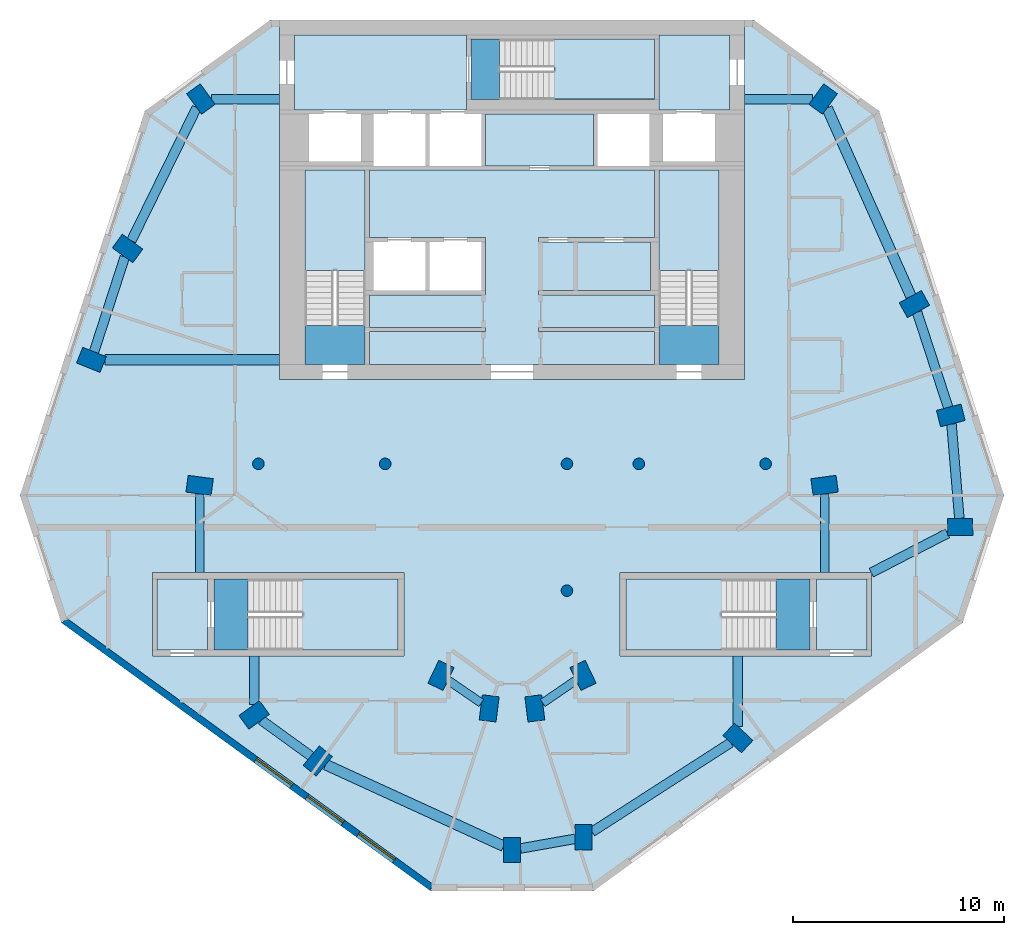
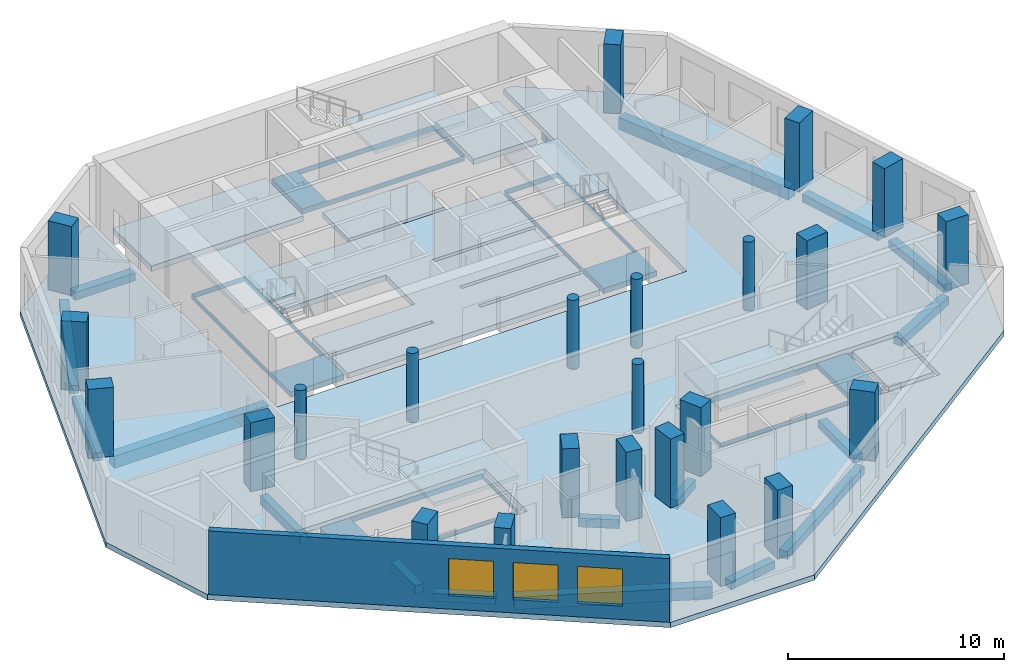
# One storey, part 1 of 8: 24 columns, 19 beams, 17 slabs, 3 windows, 1 wall, 3 openings, 5 elements without a shape of their own.
"""IFC4 building model written with IfcOpenShell, lengths in metres."""

from ifc_helpers import new_model, si_unit, direction, frame, frame_2d, origin, origin_2d, place, context, subcontext, project, spatial, polyline, rectangle, circle, outline, extrude, material, layer, layer_set, material_profile, profile_set, type_object, element, fill, aggregate, save


model = new_model("IFC4")

# Units and contexts
model_context = context("Model", 3, precision=1e-05, world=origin(), true_north=direction((0.0, 1.0)))
body_context = subcontext(model_context, "Body", "Model", "MODEL_VIEW")
ifc_project = project(units=[si_unit("LENGTHUNIT", "METRE"), si_unit("AREAUNIT", "SQUARE_METRE"), si_unit("VOLUMEUNIT", "CUBIC_METRE"), si_unit("PLANEANGLEUNIT", "RADIAN"), si_unit("MASSUNIT", "GRAM", prefix="KILO")], contexts=[model_context])

# Site, building, storey
site_placement = place(None, origin())
site = spatial("IfcSite", under=ifc_project, at=site_placement, CompositionType="ELEMENT")
building_placement = place(site_placement, origin())
building = spatial("IfcBuilding", under=site, at=building_placement, Name="White Candle Pilgrim Tower", CompositionType="ELEMENT")
storey_placement = place(building_placement, frame((0.0, 0.0, 275.60009765625)))
storey = spatial("IfcBuildingStorey", under=building, at=storey_placement, Name="L65", CompositionType="ELEMENT", Elevation=275.60009765625)

# Columns
ifc_material_1 = material(Name="Concrete C60/75", Category="concrete")
ifc_material_profile_1 = material_profile(ifc_material_1, circle(Radius=0.27490234375, at=origin_2d()), Name="RC-COL D550")
ifc_profile_set_1 = profile_set([ifc_material_profile_1], Name="Concrete C60/75")
column_type_1 = type_object("IfcColumnType", Name="Interior column RC-COL D550 C60/75", PredefinedType="COLUMN", material=ifc_profile_set_1)
for number, where, z_axis, x_axis, name in (
    (1, (58.0, 67.0, 0.0), (0.0, 0.0, 1.0), (1.0, 0.0, 0.0), "L65 column I01"),
    (2, (64.0, 67.0, 0.0), (0.0, 0.0, 1.0), (1.0, 0.0, 0.0), "L65 column I02"),
    (3, (72.60009765625, 61.0, 0.0), (0.0, 0.0, 1.0), (1.0, 0.0, 0.0), "L65 column I03"),
    (4, (72.60009765625, 67.0, 0.0), (0.0, 0.0, 1.0), (1.0, 0.0, 0.0), "L65 column I04"),
    (5, (76.0, 67.0, 0.0), (0.0, 0.0, 1.0), (1.0, 0.0, 0.0), "L65 column I05"),
    (6, (82.0, 67.0, 0.0), (0.0, 0.0, 1.0), (1.0, 0.0, 0.0), "L65 column I06"),
):
    element("IfcColumn", number, at=place(storey_placement, frame(where, z_axis=z_axis, x_axis=x_axis)), inside=storey, type_object=column_type_1, Name=name, PredefinedType="COLUMN", context=body_context, shape_type="SweptSolid", body=[
        extrude(circle(Radius=0.27490234375, at=origin_2d()), origin(), (0.0, 0.0, 1.0), 3.89990234375),
    ])
ifc_material_profile_2 = material_profile(ifc_material_1, rectangle(XDim=0.800048828125, YDim=1.199951171875, at=origin_2d()), Name="RC-PR 800x1200")
ifc_profile_set_2 = profile_set([ifc_material_profile_2], Name="Concrete C60/75")
column_type_2 = type_object("IfcColumnType", Name="Perimeter column RC-PR 800x1200 C60/75", PredefinedType="COLUMN", material=ifc_profile_set_2)
for number, where, z_axis, x_axis, name in (
    (7, (57.800048828125, 55.1201171875, 0.0), (0.0, 0.0, 1.0), (-0.58846280644, 0.808524288711, 0.0), "L65 column T01"),
    (8, (60.81005859375, 52.93994140625, 0.0), (0.0, 0.0, 1.0), (-0.769310358735, 0.638875239733, 0.0), "L65 column T02"),
    (9, (70.0, 48.72998046875, 0.0), (0.0, 0.0, 1.0), (-1.0, 0.0, 0.0), "L65 column T03"),
    (10, (73.389892578125, 49.330078125, 0.0), (0.0, 0.0, 1.0), (-1.0, 0.0, 0.0), "L65 column T04"),
    (11, (80.68994140625, 54.030029296875, 0.0), (0.0, 0.0, 1.0), (-0.681998360062, -0.731353701619, 0.0), "L65 column T05"),
    (12, (91.199951171875, 64.02001953125, 0.0), (0.0, 0.0, 1.0), (0.000855211229, -0.999999634307, 0.0), "L65 column T06"),
    (13, (90.760009765625, 69.2900390625, 0.0), (0.0, 0.0, 1.0), (0.246880623275, -0.969045900797, 0.0), "L65 column T07"),
    (14, (89.0400390625, 74.56005859375, 0.0), (0.0, 0.0, 1.0), (0.484809620246, -0.874619707139, 0.0), "L65 column T08"),
    (15, (84.719970703125, 84.260009765625, 0.0), (0.0, 0.0, 1.0), (0.80902725304, -0.587771132193, 0.0), "L65 column T09"),
    (16, (55.280029296875, 84.260009765625, 0.0), (0.0, 0.0, 1.0), (0.80902725304, 0.587771132193, 0.0), "L65 column T10"),
    (17, (51.81005859375, 77.18994140625, 0.0), (0.0, 0.0, 1.0), (0.587107285614, 0.809509132239, 0.0), "L65 column T11"),
    (18, (50.10009765625, 71.919921875, 0.0), (0.0, 0.0, 1.0), (0.369860269472, 0.929087391512, 0.0), "L65 column T12"),
):
    element("IfcColumn", number, at=place(storey_placement, frame(where, z_axis=z_axis, x_axis=x_axis)), inside=storey, type_object=column_type_2, Name=name, PredefinedType="COLUMN", context=body_context, shape_type="SweptSolid", body=[
        extrude(rectangle(XDim=0.800048828125, YDim=1.199951171875, at=origin_2d()), origin(), (0.0, 0.0, 1.0), 3.89990234375),
    ])
ifc_material_profile_3 = material_profile(ifc_material_1, rectangle(XDim=0.800048828125, YDim=1.199951171875, at=origin_2d()), Name="RC-PR 800x1200")
ifc_profile_set_3 = profile_set([ifc_material_profile_3], Name="Concrete C60/75")
column_type_3 = type_object("IfcColumnType", Name="Ring column RC-PR 800x1200 C60/75", PredefinedType="COLUMN", material=ifc_profile_set_3)
for number, where, z_axis, x_axis, name in (
    (19, (66.639892578125, 56.989990234375, 0.0), (0.0, 0.0, 1.0), (-0.901689191761, 0.43238478403, 0.0), "L65 column R01"),
    (20, (68.919921875, 55.429931640625, 0.0), (0.0, 0.0, 1.0), (-0.992092811428, 0.125506388335, 0.0), "L65 column R02"),
    (21, (71.080078125, 55.429931640625, 0.0), (0.0, 0.0, 1.0), (-0.992092811428, -0.125506388335, 0.0), "L65 column R03"),
    (22, (73.360107421875, 56.989990234375, 0.0), (0.0, 0.0, 1.0), (-0.901689191761, -0.43238478403, 0.0), "L65 column R04"),
    (23, (84.7900390625, 65.97998046875, 0.0), (0.0, 0.0, 1.0), (0.132602381688, -0.991169313675, 0.0), "L65 column R05"),
    (24, (55.219970703125, 65.97998046875, 0.0), (0.0, 0.0, 1.0), (0.132602381688, 0.991169313675, 0.0), "L65 column R06"),
):
    element("IfcColumn", number, at=place(storey_placement, frame(where, z_axis=z_axis, x_axis=x_axis)), inside=storey, type_object=column_type_3, Name=name, PredefinedType="COLUMN", context=body_context, shape_type="SweptSolid", body=[
        extrude(rectangle(XDim=0.800048828125, YDim=1.199951171875, at=origin_2d()), origin(), (0.0, 0.0, 1.0), 3.89990234375),
    ])

# Beams
ifc_material_2 = material(Name="Concrete C50/60", Category="concrete")
ifc_material_profile_4 = material_profile(ifc_material_2, rectangle(XDim=0.39990234375, YDim=0.5, at=origin_2d()), Name="RC-BM 400x500")
ifc_profile_set_4 = profile_set([ifc_material_profile_4], Name="Concrete C50/60")
beam_type_1 = type_object("IfcBeamType", Name="Ring beam RC-BM 400x500 C50/60", PredefinedType="BEAM", material=ifc_profile_set_4)
for number, where, z_axis, x_axis, name in (
    (25, (66.97412109375, 56.761474609375, -0.550048828125), (0.825257044892, -0.564757301729, 0.0), (0.564757301729, 0.825257044892, 0.0), "L65 ring beam R01"),
    (26, (71.451171875, 55.683837890625, -0.550048828125), (0.825257044892, 0.564757301729, 0.0), (-0.564757301729, 0.825257044892, 0.0), "L65 ring beam R02"),
):
    element("IfcBeam", number, at=place(storey_placement, frame(where, z_axis=z_axis, x_axis=x_axis)), inside=storey, type_object=beam_type_1, Name=name, PredefinedType="BEAM", context=body_context, shape_type="SweptSolid", body=[
        extrude(rectangle(XDim=0.39990234375, YDim=0.5, at=origin_2d()), origin(), (0.0, 0.0, 1.0), 1.908203125),
    ])
for number, where, z_axis, x_axis, name in (
    (27, (84.7900390625, 65.576416015625, -0.550048828125), (0.0, -1.0, 0.0), (1.0, 0.0, 0.0), "L65 ring beam R03"),
    (28, (55.219970703125, 65.576416015625, -0.550048828125), (0.0, -1.0, 0.0), (1.0, 0.0, 0.0), "L65 ring beam R04"),
):
    element("IfcBeam", number, at=place(storey_placement, frame(where, z_axis=z_axis, x_axis=x_axis)), inside=storey, type_object=beam_type_1, Name=name, PredefinedType="BEAM", context=body_context, shape_type="SweptSolid", body=[
        extrude(rectangle(XDim=0.39990234375, YDim=0.5, at=origin_2d()), origin(), (0.0, 0.0, 1.0), 3.726318359375),
    ])
ifc_material_profile_5 = material_profile(ifc_material_2, rectangle(XDim=0.449951171875, YDim=0.449951171875, at=origin_2d()), Name="RC-BM 450x450")
ifc_profile_set_5 = profile_set([ifc_material_profile_5], Name="Concrete C50/60")
beam_type_2 = type_object("IfcBeamType", Name="Spandrel beam RC-BM 450x450 C50/60", PredefinedType="BEAM", material=ifc_profile_set_5)
beam_1_placement = place(storey_placement, frame((58.140625, 54.873291015625, -0.525146484375), z_axis=(0.809886863982, -0.586586112647, 0.0), x_axis=(0.586586112647, 0.809886863982, 0.0)))
element("IfcBeam", 29, at=beam_1_placement, inside=storey, type_object=beam_type_2, Name="L65 spandrel beam T01", PredefinedType="BEAM", context=body_context, shape_type="SweptSolid", body=[
    extrude(rectangle(XDim=0.449951171875, YDim=0.449951171875, at=origin_2d()), origin(), (0.0, 0.0, 1.0), 2.89501953125),
])
beam_2_placement = place(storey_placement, frame((70.39990234375, 48.80078125, -0.525146484375), z_axis=(0.984690914207, 0.174309504843, 0.0), x_axis=(-0.174309504843, 0.984690914207, 0.0)))
element("IfcBeam", 30, at=beam_2_placement, inside=storey, type_object=beam_type_2, Name="L65 spandrel beam T03", PredefinedType="BEAM", context=body_context, shape_type="SweptSolid", body=[
    extrude(rectangle(XDim=0.449951171875, YDim=0.449951171875, at=origin_2d()), origin(), (0.0, 0.0, 1.0), 2.63037109375),
])
beam_3_placement = place(storey_placement, frame((73.7900390625, 49.58740234375, -0.525146484375), z_axis=(0.840792523654, 0.541357490175, 0.0), x_axis=(-0.541357490175, 0.840792523654, 0.0)))
element("IfcBeam", 31, at=beam_3_placement, inside=storey, type_object=beam_type_2, Name="L65 spandrel beam T04", PredefinedType="BEAM", context=body_context, shape_type="SweptSolid", body=[
    extrude(rectangle(XDim=0.449951171875, YDim=0.449951171875, at=origin_2d()), origin(), (0.0, 0.0, 1.0), 7.793701171875),
])
beam_4_placement = place(storey_placement, frame((80.68994140625, 54.576904296875, -0.525146484375), z_axis=(0.0, 1.0, 0.0), x_axis=(-1.0, 0.0, 0.0)))
element("IfcBeam", 32, at=beam_4_placement, inside=storey, type_object=beam_type_2, Name="L65 spandrel beam T05", PredefinedType="BEAM", context=body_context, shape_type="SweptSolid", body=[
    extrude(rectangle(XDim=0.449951171875, YDim=0.449951171875, at=origin_2d()), origin(), (0.0, 0.0, 1.0), 3.322998046875),
])
beam_5_placement = place(storey_placement, frame((90.600341796875, 63.710205078125, -0.525146484375), z_axis=(-0.888432867753, -0.459006578925, 0.0), x_axis=(0.459006578925, -0.888432867753, 0.0)))
element("IfcBeam", 33, at=beam_5_placement, inside=storey, type_object=beam_type_2, Name="L65 spandrel beam T06", PredefinedType="BEAM", context=body_context, shape_type="SweptSolid", body=[
    extrude(rectangle(XDim=0.449951171875, YDim=0.449951171875, at=origin_2d()), origin(), (0.0, 0.0, 1.0), 4.052490234375),
])
beam_6_placement = place(storey_placement, frame((91.16650390625, 64.419921875, -0.525146484375), z_axis=(-0.083189754962, 0.996533724803, 0.0), x_axis=(-0.996533724803, -0.083189754962, 0.0)))
element("IfcBeam", 34, at=beam_6_placement, inside=storey, type_object=beam_type_2, Name="L65 spandrel beam T07", PredefinedType="BEAM", context=body_context, shape_type="SweptSolid", body=[
    extrude(rectangle(XDim=0.449951171875, YDim=0.449951171875, at=origin_2d()), origin(), (0.0, 0.0, 1.0), 4.4814453125),
])
beam_7_placement = place(storey_placement, frame((90.635498046875, 69.671142578125, -0.525146484375), z_axis=(-0.310235376741, 0.950659776691, 0.0), x_axis=(-0.950659776691, -0.310235376741, 0.0)))
element("IfcBeam", 35, at=beam_7_placement, inside=storey, type_object=beam_type_2, Name="L65 spandrel beam T08", PredefinedType="BEAM", context=body_context, shape_type="SweptSolid", body=[
    extrude(rectangle(XDim=0.449951171875, YDim=0.449951171875, at=origin_2d()), origin(), (0.0, 0.0, 1.0), 4.735107421875),
])
for number, where, z_axis, x_axis, name in (
    (36, (84.2255859375, 84.260009765625, -0.525146484375), (-1.0, 0.0, 0.0), (0.0, -1.0, 0.0), "L65 spandrel beam T10"),
    (37, (55.7744140625, 84.260009765625, -0.525146484375), (1.0, 0.0, 0.0), (0.0, 1.0, 0.0), "L65 spandrel beam T11"),
):
    element("IfcBeam", number, at=place(storey_placement, frame(where, z_axis=z_axis, x_axis=x_axis)), inside=storey, type_object=beam_type_2, Name=name, PredefinedType="BEAM", context=body_context, shape_type="SweptSolid", body=[
        extrude(rectangle(XDim=0.449951171875, YDim=0.449951171875, at=origin_2d()), origin(), (0.0, 0.0, 1.0), 3.2255859375),
    ])
beam_8_placement = place(storey_placement, frame((55.080810546875, 83.853759765625, -0.525146484375), z_axis=(-0.440604884501, -0.897701139441, 0.0), x_axis=(0.897701139441, -0.440604884501, 0.0)))
element("IfcBeam", 38, at=beam_8_placement, inside=storey, type_object=beam_type_2, Name="L65 spandrel beam T12", PredefinedType="BEAM", context=body_context, shape_type="SweptSolid", body=[
    extrude(rectangle(XDim=0.449951171875, YDim=0.449951171875, at=origin_2d()), origin(), (0.0, 0.0, 1.0), 7.01708984375),
])
beam_9_placement = place(storey_placement, frame((51.68017578125, 76.7900390625, -0.525146484375), z_axis=(-0.308643859688, -0.95117767419, 0.0), x_axis=(0.95117767419, -0.308643859688, 0.0)))
element("IfcBeam", 39, at=beam_9_placement, inside=storey, type_object=beam_type_2, Name="L65 spandrel beam T13", PredefinedType="BEAM", context=body_context, shape_type="SweptSolid", body=[
    extrude(rectangle(XDim=0.449951171875, YDim=0.449951171875, at=origin_2d()), origin(), (0.0, 0.0, 1.0), 4.71923828125),
])
beam_10_placement = place(storey_placement, frame((57.800048828125, 55.61474609375, -0.525146484375), z_axis=(0.0, 1.0, 0.0), x_axis=(-1.0, 0.0, 0.0)))
element("IfcBeam", 40, at=beam_10_placement, inside=storey, type_object=beam_type_2, Name="L65 spandrel beam T15", PredefinedType="BEAM", context=body_context, shape_type="SweptSolid", body=[
    extrude(rectangle(XDim=0.449951171875, YDim=0.449951171875, at=origin_2d()), origin(), (0.0, 0.0, 1.0), 2.28515625),
])
ifc_material_profile_6 = material_profile(ifc_material_2, rectangle(XDim=0.5, YDim=0.699951171875, at=origin_2d()), Name="RC-BM 500x700")
ifc_profile_set_6 = profile_set([ifc_material_profile_6], Name="Concrete C50/60")
beam_type_3 = type_object("IfcBeamType", Name="Spandrel beam RC-BM 500x700 C50/60", PredefinedType="BEAM", material=ifc_profile_set_6)
beam_11_placement = place(storey_placement, frame((61.186767578125, 52.767578125, -0.650146484375), z_axis=(0.90913101106, -0.416510269656, 0.0), x_axis=(0.416510269656, 0.90913101106, 0.0)))
element("IfcBeam", 41, at=beam_11_placement, inside=storey, type_object=beam_type_3, Name="L65 spandrel beam T02", PredefinedType="BEAM", context=body_context, shape_type="SweptSolid", body=[
    extrude(rectangle(XDim=0.5, YDim=0.699951171875, at=origin_2d()), origin(), (0.0, 0.0, 1.0), 9.254150390625),
])
beam_12_placement = place(storey_placement, frame((88.876708984375, 74.9267578125, -0.650146484375), z_axis=(-0.406834969126, 0.913501673724, 0.0), x_axis=(-0.913501673724, -0.406834969126, 0.0)))
element("IfcBeam", 42, at=beam_12_placement, inside=storey, type_object=beam_type_3, Name="L65 spandrel beam T09", PredefinedType="BEAM", context=body_context, shape_type="SweptSolid", body=[
    extrude(rectangle(XDim=0.5, YDim=0.699951171875, at=origin_2d()), origin(), (0.0, 0.0, 1.0), 9.755126953125),
])
beam_13_placement = place(storey_placement, frame((50.745849609375, 71.919921875, -0.650146484375), z_axis=(1.0, 0.0, 0.0), x_axis=(0.0, 1.0, 0.0)))
element("IfcBeam", 43, at=beam_13_placement, inside=storey, type_object=beam_type_3, Name="L65 spandrel beam T14", PredefinedType="BEAM", context=body_context, shape_type="SweptSolid", body=[
    extrude(rectangle(XDim=0.5, YDim=0.699951171875, at=origin_2d()), origin(), (0.0, 0.0, 1.0), 8.254150390625),
])

# Slabs
ifc_material_3 = material(Name="Concrete C40/50", Category="concrete")
ifc_layer_1 = layer(ifc_material_3, 0.300048828125)
ifc_layer_set_1 = layer_set([ifc_layer_1], Name="Core floor slab 300 mm Concrete C40/50")
slab_type_1 = type_object("IfcSlabType", Name="Core floor slab 300 mm Concrete C40/50", PredefinedType="FLOOR", material=ifc_layer_set_1)
slab_1_placement = place(storey_placement, frame((0.0, 0.0, -0.300048828125)))
element("IfcSlab", 44, at=slab_1_placement, inside=storey, type_object=slab_type_1, Name="CF-L65-01", PredefinedType="FLOOR", context=body_context, shape_type="SweptSolid", body=[
    extrude(outline(polyline([(55.60009765625, 58.199951171875), (53.199951171875, 58.199951171875), (53.199951171875, 61.550048828125), (55.60009765625, 61.550048828125), (55.60009765625, 58.199951171875)])), origin(), (0.0, 0.0, 1.0), 0.300048828125),
])
slab_2_placement = place(storey_placement, frame((0.0, 0.0, -0.300048828125)))
element("IfcSlab", 45, at=slab_2_placement, inside=storey, type_object=slab_type_1, Name="CF-L65-02", PredefinedType="FLOOR", context=body_context, shape_type="SweptSolid", body=[
    extrude(outline(polyline([(55.89990234375, 58.199951171875), (55.89990234375, 61.550048828125), (64.60009765625, 61.550048828125), (64.60009765625, 58.199951171875), (55.89990234375, 58.199951171875)]), holes=[polyline([(57.501953125, 61.548095703125), (57.501953125, 58.201904296875), (64.597900390625, 58.201904296875), (64.597900390625, 61.548095703125), (57.501953125, 61.548095703125)])]), origin(), (0.0, 0.0, 1.0), 0.300048828125),
])
slab_3_placement = place(storey_placement, frame((0.0, 0.0, -0.300048828125)))
element("IfcSlab", 46, at=slab_3_placement, inside=storey, type_object=slab_type_1, Name="CF-L65-03", PredefinedType="FLOOR", context=body_context, shape_type="SweptSolid", body=[
    extrude(outline(polyline([(75.39990234375, 58.199951171875), (75.39990234375, 61.550048828125), (84.10009765625, 61.550048828125), (84.10009765625, 58.199951171875), (75.39990234375, 58.199951171875)]), holes=[polyline([(82.498046875, 61.548095703125), (75.402099609375, 61.548095703125), (75.402099609375, 58.201904296875), (82.498046875, 58.201904296875), (82.498046875, 61.548095703125)])]), origin(), (0.0, 0.0, 1.0), 0.300048828125),
])
slab_4_placement = place(storey_placement, frame((0.0, 0.0, -0.300048828125)))
element("IfcSlab", 47, at=slab_4_placement, inside=storey, type_object=slab_type_1, Name="CF-L65-04", PredefinedType="FLOOR", context=body_context, shape_type="SweptSolid", body=[
    extrude(outline(polyline([(86.800048828125, 58.199951171875), (84.39990234375, 58.199951171875), (84.39990234375, 61.550048828125), (86.800048828125, 61.550048828125), (86.800048828125, 58.199951171875)])), origin(), (0.0, 0.0, 1.0), 0.300048828125),
])
slab_5_placement = place(storey_placement, frame((0.0, 0.0, -0.300048828125)))
element("IfcSlab", 48, at=slab_5_placement, inside=storey, type_object=slab_type_1, Name="CF-L65-05", PredefinedType="FLOOR", context=body_context, shape_type="SweptSolid", body=[
    extrude(outline(polyline([(76.949951171875, 71.699951171875), (76.949951171875, 73.25), (76.949951171875, 73.449951171875), (76.949951171875, 75.0), (76.949951171875, 75.199951171875), (76.949951171875, 77.5), (76.949951171875, 77.699951171875), (76.949951171875, 80.89990234375), (79.800048828125, 80.89990234375), (79.800048828125, 71.699951171875), (76.949951171875, 71.699951171875)]), holes=[polyline([(76.951904296875, 73.552001953125), (79.798095703125, 73.552001953125), (79.798095703125, 80.89794921875), (76.951904296875, 80.89794921875), (76.951904296875, 73.552001953125)])]), origin(), (0.0, 0.0, 1.0), 0.300048828125),
])
slab_6_placement = place(storey_placement, frame((0.0, 0.0, -0.300048828125)))
element("IfcSlab", 49, at=slab_6_placement, inside=storey, type_object=slab_type_1, Name="CF-L65-06", PredefinedType="FLOOR", context=body_context, shape_type="SweptSolid", body=[
    extrude(outline(polyline([(63.25, 71.699951171875), (63.25, 73.25), (68.75, 73.25), (68.75, 73.449951171875), (63.25, 73.449951171875), (63.25, 75.0), (68.75, 75.0), (68.75, 75.199951171875), (68.75, 77.5), (68.75, 77.699951171875), (63.25, 77.699951171875), (63.25, 80.89990234375), (76.75, 80.89990234375), (76.75, 77.699951171875), (71.25, 77.699951171875), (71.25, 77.5), (76.550048828125, 77.5), (76.550048828125, 75.199951171875), (71.25, 75.199951171875), (71.25, 75.0), (76.75, 75.0), (76.75, 73.449951171875), (71.25, 73.449951171875), (71.25, 73.25), (76.75, 73.25), (76.75, 71.699951171875), (63.25, 71.699951171875)])), origin(), (0.0, 0.0, 1.0), 0.300048828125),
])
slab_7_placement = place(storey_placement, frame((0.0, 0.0, -0.300048828125)))
element("IfcSlab", 50, at=slab_7_placement, inside=storey, type_object=slab_type_1, Name="CF-L65-07", PredefinedType="FLOOR", context=body_context, shape_type="SweptSolid", body=[
    extrude(outline(polyline([(60.199951171875, 71.699951171875), (60.199951171875, 80.89990234375), (63.050048828125, 80.89990234375), (63.050048828125, 77.699951171875), (63.050048828125, 77.5), (63.050048828125, 75.199951171875), (63.050048828125, 75.0), (63.050048828125, 73.449951171875), (63.050048828125, 73.25), (63.050048828125, 71.699951171875), (60.199951171875, 71.699951171875)]), holes=[polyline([(60.201904296875, 73.552001953125), (63.048095703125, 73.552001953125), (63.048095703125, 80.89794921875), (60.201904296875, 80.89794921875), (60.201904296875, 73.552001953125)])]), origin(), (0.0, 0.0, 1.0), 0.300048828125),
])
slab_8_placement = place(storey_placement, frame((0.0, 0.0, -0.300048828125)))
element("IfcSlab", 51, at=slab_8_placement, inside=storey, type_object=slab_type_1, Name="CF-L65-08", PredefinedType="FLOOR", context=body_context, shape_type="SweptSolid", body=[
    extrude(outline(polyline([(59.699951171875, 87.300048828125), (67.85009765625, 87.300048828125), (67.85009765625, 87.10009765625), (67.85009765625, 84.25), (67.85009765625, 83.75), (59.699951171875, 83.75), (59.699951171875, 87.300048828125)])), origin(), (0.0, 0.0, 1.0), 0.300048828125),
])
slab_9_placement = place(storey_placement, frame((0.0, 0.0, -0.300048828125)))
element("IfcSlab", 52, at=slab_9_placement, inside=storey, type_object=slab_type_1, Name="CF-L65-09", PredefinedType="FLOOR", context=body_context, shape_type="SweptSolid", body=[
    extrude(outline(polyline([(80.300048828125, 87.300048828125), (80.300048828125, 83.75), (76.949951171875, 83.75), (76.949951171875, 84.25), (76.949951171875, 87.10009765625), (76.949951171875, 87.300048828125), (80.300048828125, 87.300048828125)])), origin(), (0.0, 0.0, 1.0), 0.300048828125),
])
slab_10_placement = place(storey_placement, frame((0.0, 0.0, -0.300048828125)))
element("IfcSlab", 53, at=slab_10_placement, inside=storey, type_object=slab_type_1, Name="CF-L65-10", PredefinedType="FLOOR", context=body_context, shape_type="SweptSolid", body=[
    extrude(outline(polyline([(68.050048828125, 87.10009765625), (76.75, 87.10009765625), (76.75, 84.25), (68.050048828125, 84.25), (68.050048828125, 87.10009765625)]), holes=[polyline([(69.402099609375, 87.097900390625), (69.402099609375, 84.251953125), (76.748046875, 84.251953125), (76.748046875, 87.097900390625), (69.402099609375, 87.097900390625)])]), origin(), (0.0, 0.0, 1.0), 0.300048828125),
])
slab_11_placement = place(storey_placement, frame((0.0, 0.0, -0.300048828125)))
element("IfcSlab", 54, at=slab_11_placement, inside=storey, type_object=slab_type_1, Name="CF-L65-11", PredefinedType="FLOOR", context=body_context, shape_type="SweptSolid", body=[
    extrude(outline(polyline([(73.85009765625, 83.550048828125), (73.85009765625, 81.10009765625), (68.75, 81.10009765625), (68.75, 83.550048828125), (73.85009765625, 83.550048828125)])), origin(), (0.0, 0.0, 1.0), 0.300048828125),
])
ifc_layer_2 = layer(ifc_material_3, 0.300048828125)
ifc_layer_set_2 = layer_set([ifc_layer_2], Name="Floor slab 300 REI 120")
slab_type_2 = type_object("IfcSlabType", Name="Floor slab 300 REI 120", PredefinedType="FLOOR", material=ifc_layer_set_2)
slab_12_placement = place(storey_placement, frame((0.0, 0.0, -0.300048828125)))
element("IfcSlab", 55, at=slab_12_placement, inside=storey, type_object=slab_type_2, Name="L65 floor slab", PredefinedType="FLOOR", context=body_context, shape_type="SweptSolid", body=[
    extrude(outline(polyline([(66.1484375, 46.79150390625), (73.8515625, 46.79150390625), (91.322021484375, 59.484375), (93.278564453125, 65.506103515625), (87.37060546875, 83.68896484375), (81.43701171875, 88.0), (81.0, 88.0), (81.0, 71.0), (59.0, 71.0), (59.0, 88.0), (58.56298828125, 88.0), (52.62939453125, 83.68896484375), (46.721435546875, 65.506103515625), (48.677978515625, 59.484375), (66.1484375, 46.79150390625)]), holes=[polyline([(53.0, 57.89990234375), (53.0, 61.85009765625), (64.89990234375, 61.85009765625), (64.89990234375, 57.89990234375), (53.0, 57.89990234375)]), polyline([(75.10009765625, 57.89990234375), (75.10009765625, 61.85009765625), (87.0, 61.85009765625), (87.0, 57.89990234375), (75.10009765625, 57.89990234375)])]), origin(), (0.0, 0.0, 1.0), 0.300048828125),
])

# Stair, slab
stair_type_1 = type_object("IfcStairType", Name="Exit stair 1 flight width 1350 mm", PredefinedType="HALF_TURN_STAIR", material=ifc_material_3)
stair_1_placement = place(storey_placement, origin())
stair_1 = element("IfcStair", 56, at=stair_1_placement, inside=storey, type_object=stair_type_1, Name="L65 stair 1", PredefinedType="NOTDEFINED")
ifc_layer_3 = layer(ifc_material_3, 0.199951171875)
ifc_layer_set_3 = layer_set([ifc_layer_3], Name="Stair landing Concrete C40/50")
slab_type_3 = type_object("IfcSlabType", Name="Stair landing Concrete C40/50", PredefinedType="LANDING", material=ifc_layer_set_3)
slab_13_placement = place(storey_placement, frame((0.0, 0.0, 1.75)))
slab_13 = element("IfcSlab", 57, at=slab_13_placement, type_object=slab_type_3, Name="ST1 landing 1", PredefinedType="LANDING", context=body_context, shape_type="SweptSolid", body=[
    extrude(outline(polyline([(63.052001953125, 76.14794921875), (60.197998046875, 76.14794921875), (60.197998046875, 80.902099609375), (63.052001953125, 80.902099609375), (63.052001953125, 76.14794921875)])), origin(), (0.0, 0.0, 1.0), 0.199951171875),
])
aggregate(stair_1, [slab_13])

stair_type_2 = type_object("IfcStairType", Name="Exit stair 2 flight width 1350 mm", PredefinedType="HALF_TURN_STAIR", material=ifc_material_3)
stair_2_placement = place(storey_placement, origin())
stair_2 = element("IfcStair", 58, at=stair_2_placement, inside=storey, type_object=stair_type_2, Name="L65 stair 2", PredefinedType="NOTDEFINED")
slab_14_placement = place(storey_placement, frame((0.0, 0.0, 1.75)))
slab_14 = element("IfcSlab", 59, at=slab_14_placement, type_object=slab_type_3, Name="ST2 landing 1", PredefinedType="LANDING", context=body_context, shape_type="SweptSolid", body=[
    extrude(outline(polyline([(79.802001953125, 76.14794921875), (76.947998046875, 76.14794921875), (76.947998046875, 80.902099609375), (79.802001953125, 80.902099609375), (79.802001953125, 76.14794921875)])), origin(), (0.0, 0.0, 1.0), 0.199951171875),
])
aggregate(stair_2, [slab_14])

stair_type_3 = type_object("IfcStairType", Name="Exit stair 3 flight width 1350 mm", PredefinedType="HALF_TURN_STAIR", material=ifc_material_3)
stair_3_placement = place(storey_placement, origin())
stair_3 = element("IfcStair", 60, at=stair_3_placement, inside=storey, type_object=stair_type_3, Name="L65 stair 3", PredefinedType="NOTDEFINED")
slab_15_placement = place(storey_placement, frame((0.0, 0.0, 1.75)))
slab_15 = element("IfcSlab", 61, at=slab_15_placement, type_object=slab_type_3, Name="ST3 landing 1", PredefinedType="LANDING", context=body_context, shape_type="SweptSolid", body=[
    extrude(outline(polyline([(71.998046875, 84.248046875), (71.998046875, 87.10205078125), (76.751953125, 87.10205078125), (76.751953125, 84.248046875), (71.998046875, 84.248046875)])), origin(), (0.0, 0.0, 1.0), 0.199951171875),
])
aggregate(stair_3, [slab_15])

stair_type_4 = type_object("IfcStairType", Name="Exit stair 4 flight width 1600 mm", PredefinedType="HALF_TURN_STAIR", material=ifc_material_3)
stair_4_placement = place(storey_placement, origin())
stair_4 = element("IfcStair", 62, at=stair_4_placement, inside=storey, type_object=stair_type_4, Name="L65 stair 4", PredefinedType="NOTDEFINED")
slab_16_placement = place(storey_placement, frame((0.0, 0.0, 1.75)))
slab_16 = element("IfcSlab", 63, at=slab_16_placement, type_object=slab_type_3, Name="ST4 landing 1", PredefinedType="LANDING", context=body_context, shape_type="SweptSolid", body=[
    extrude(outline(polyline([(79.902099609375, 61.552001953125), (79.902099609375, 58.197998046875), (75.39794921875, 58.197998046875), (75.39794921875, 61.552001953125), (79.902099609375, 61.552001953125)])), origin(), (0.0, 0.0, 1.0), 0.199951171875),
])
aggregate(stair_4, [slab_16])

stair_type_5 = type_object("IfcStairType", Name="Exit stair 5 flight width 1600 mm", PredefinedType="HALF_TURN_STAIR", material=ifc_material_3)
stair_5_placement = place(storey_placement, origin())
stair_5 = element("IfcStair", 64, at=stair_5_placement, inside=storey, type_object=stair_type_5, Name="L65 stair 5", PredefinedType="NOTDEFINED")
slab_17_placement = place(storey_placement, frame((0.0, 0.0, 1.75)))
slab_17 = element("IfcSlab", 65, at=slab_17_placement, type_object=slab_type_3, Name="ST5 landing 1", PredefinedType="LANDING", context=body_context, shape_type="SweptSolid", body=[
    extrude(outline(polyline([(60.097900390625, 58.197998046875), (60.097900390625, 61.552001953125), (64.60205078125, 61.552001953125), (64.60205078125, 58.197998046875), (60.097900390625, 58.197998046875)])), origin(), (0.0, 0.0, 1.0), 0.199951171875),
])
aggregate(stair_5, [slab_17])

# Wall, openings, windows
ifc_material_4 = material(Name="Precast concrete C40/50", Category="concrete")
ifc_layer_4 = layer(ifc_material_4, 0.320068359375)
ifc_layer_set_4 = layer_set([ifc_layer_4], Name="Facade wall EW1 precast concrete C40/50 pier wall with timber-lined reveals")
wall_type = type_object("IfcWallType", Name="Facade wall EW1 precast concrete C40/50 pier wall with timber-lined reveals", PredefinedType="SOLIDWALL", material=ifc_layer_set_4)
wall_placement = place(storey_placement, frame((48.814208984375, 59.583251953125, 0.0), z_axis=(0.0, 0.0, 1.0), x_axis=(0.809016992157, -0.587785255346, 0.0)))
wall = element("IfcWall", 66, at=wall_placement, inside=storey, type_object=wall_type, Name="Facade wall L65 SW", PredefinedType="SOLIDWALL", context=body_context, shape_type="SweptSolid", body=[
    extrude(rectangle(XDim=21.490478515625, YDim=0.320068359375, at=frame_2d((10.7451171875, 0.0))), origin(), (0.0, 0.0, 1.0), 3.599853515625),
])
opening_1_placement = place(wall_placement, frame((11.1953125, 0.0, 0.75)))
opening_1 = element("IfcOpeningElement", 67, at=opening_1_placement, cuts=wall, Name="Opening W3", PredefinedType="OPENING", context=body_context, shape_type="SweptSolid", body=[
    extrude(rectangle(XDim=2.10009765625, YDim=2.10009765625, at=frame_2d((1.050048828125, 1.050048828125))), frame((0.0, 0.169921875, 0.0), z_axis=(0.0, -1.0, 0.0), x_axis=(1.0, 0.0, 0.0)), (0.0, 0.0, 1.0), 0.340087890625),
])
opening_2_placement = place(wall_placement, frame((14.1953125, 0.0, 0.75)))
opening_2 = element("IfcOpeningElement", 68, at=opening_2_placement, cuts=wall, Name="Opening W3", PredefinedType="OPENING", context=body_context, shape_type="SweptSolid", body=[
    extrude(rectangle(XDim=2.10009765625, YDim=2.10009765625, at=frame_2d((1.050048828125, 1.050048828125))), frame((0.0, 0.169921875, 0.0), z_axis=(0.0, -1.0, 0.0), x_axis=(1.0, 0.0, 0.0)), (0.0, 0.0, 1.0), 0.340087890625),
])
opening_3_placement = place(wall_placement, frame((17.1953125, 0.0, 0.75)))
opening_3 = element("IfcOpeningElement", 69, at=opening_3_placement, cuts=wall, Name="Opening W3", PredefinedType="OPENING", context=body_context, shape_type="SweptSolid", body=[
    extrude(rectangle(XDim=2.10009765625, YDim=2.10009765625, at=frame_2d((1.050048828125, 1.050048828125))), frame((0.0, 0.169921875, 0.0), z_axis=(0.0, -1.0, 0.0), x_axis=(1.0, 0.0, 0.0)), (0.0, 0.0, 1.0), 0.340087890625),
])
ifc_material_5 = material(Name="Timber frame with triple glazing", Category="wood")
window_type = type_object("IfcWindowType", Name="Window W3 2100x2100 timber frame triple glazing", PartitioningType="SINGLE_PANEL", PredefinedType="WINDOW", material=ifc_material_5)
window_1_placement = place(opening_1_placement, origin())
window_1 = element("IfcWindow", 70, at=window_1_placement, inside=storey, type_object=window_type, Name="Window W3 L65 SW 4", OverallHeight=2.10009765625, OverallWidth=2.10009765625, PartitioningType="SINGLE_PANEL", PredefinedType="WINDOW", context=body_context, shape_type="SweptSolid", body=[
    extrude(rectangle(XDim=2.10009765625, YDim=2.10009765625, at=frame_2d((1.050048828125, 1.050048828125))), frame((0.0, 0.070068359375, 0.0), z_axis=(0.0, -1.0, 0.0), x_axis=(1.0, 0.0, 0.0)), (0.0, 0.0, 1.0), 0.06005859375),
])
fill(opening_1, window_1)
window_2_placement = place(opening_2_placement, origin())
window_2 = element("IfcWindow", 71, at=window_2_placement, inside=storey, type_object=window_type, Name="Window W3 L65 SW 5", OverallHeight=2.10009765625, OverallWidth=2.10009765625, PartitioningType="SINGLE_PANEL", PredefinedType="WINDOW", context=body_context, shape_type="SweptSolid", body=[
    extrude(rectangle(XDim=2.10009765625, YDim=2.10009765625, at=frame_2d((1.050048828125, 1.050048828125))), frame((0.0, 0.070068359375, 0.0), z_axis=(0.0, -1.0, 0.0), x_axis=(1.0, 0.0, 0.0)), (0.0, 0.0, 1.0), 0.06005859375),
])
fill(opening_2, window_2)
window_3_placement = place(opening_3_placement, origin())
window_3 = element("IfcWindow", 72, at=window_3_placement, inside=storey, type_object=window_type, Name="Window W3 L65 SW 6", OverallHeight=2.10009765625, OverallWidth=2.10009765625, PartitioningType="SINGLE_PANEL", PredefinedType="WINDOW", context=body_context, shape_type="SweptSolid", body=[
    extrude(rectangle(XDim=2.10009765625, YDim=2.10009765625, at=frame_2d((1.050048828125, 1.050048828125))), frame((0.0, 0.070068359375, 0.0), z_axis=(0.0, -1.0, 0.0), x_axis=(1.0, 0.0, 0.0)), (0.0, 0.0, 1.0), 0.06005859375),
])
fill(opening_3, window_3)

save(model, "model.ifc")
